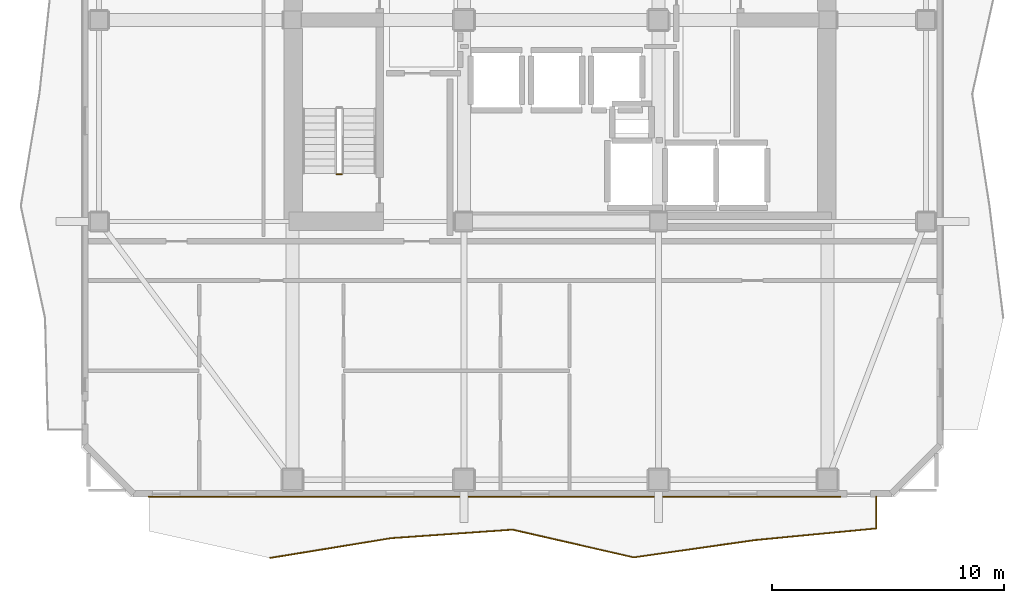
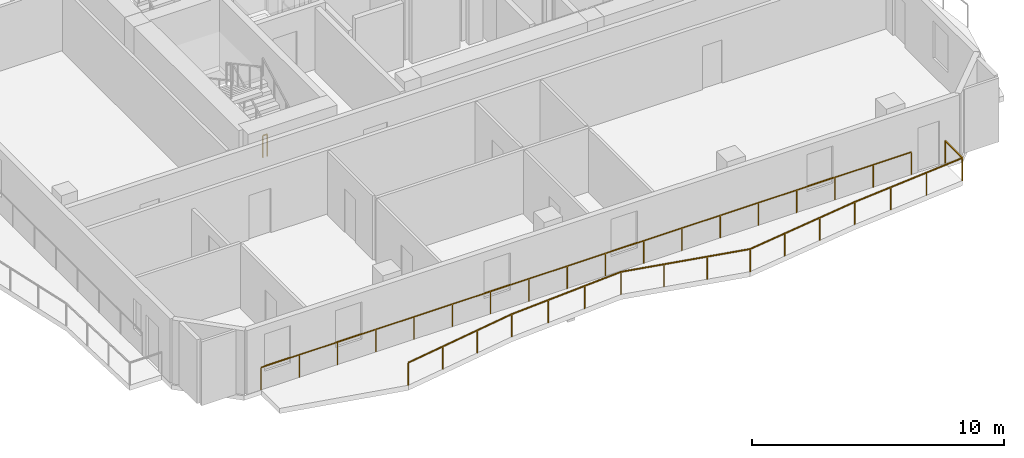
# One storey, part 7 of 10: 3 railings.
"""IFC4 building model written with IfcOpenShell, lengths in metres."""

import ifcopenshell
import ifcopenshell.guid

model = None  # the IFC model being written
_history = None  # IfcOwnerHistory: only IFC2X3 demands one
_inside = {}  # id of a spatial element -> (the spatial element, [elements in it])
_under = {}  # id of a project, library or spatial element -> (it, [spatial elements below it])
_declared = {}  # id of a project -> (the project, [libraries it declares])
_typed = {}  # id of a type object -> (the type object, [elements of that type])
_made_of = {}  # id of a material, layer set ... -> (it, [elements and type objects made of it])


def new_model(schema):
    """Start an empty IFC model of exactly this schema.

    Asked for "IFC4X3", IfcOpenShell would pick the latest addendum, in which some entities
    have other attributes; the version numbers below select the first issue.
    IFC2X3 requires an IfcOwnerHistory on every rooted entity: one is made here for all.
    """
    global model, _history
    if schema == "IFC4X3":
        model = ifcopenshell.file(schema_version=(4, 3, 0, 0))
    else:
        model = ifcopenshell.file(schema=schema)
    _inside.clear()
    _under.clear()
    _declared.clear()
    _typed.clear()
    _made_of.clear()
    _history = None
    if model.schema == "IFC2X3":
        org = make("IfcOrganization", Name="unknown")
        user = make(
            "IfcPersonAndOrganization",
            ThePerson=make("IfcPerson", FamilyName="unknown"),
            TheOrganization=org,
        )
        app = make(
            "IfcApplication",
            ApplicationDeveloper=org,
            Version="unknown",
            ApplicationFullName="unknown",
            ApplicationIdentifier="unknown",
        )
        _history = make(
            "IfcOwnerHistory",
            OwningUser=user,
            OwningApplication=app,
            ChangeAction="ADDED",
            CreationDate=0,
        )
    return model


def make(cls, **values):
    """One entity of the class cls with the attributes given. An attribute that is None is left unset."""
    return model.create_entity(
        cls, **{name: value for name, value in values.items() if value is not None}
    )


def rooted(cls, **values):
    """An entity with a GlobalId (a new one), such as an element, a storey or a relation."""
    return make(cls, GlobalId=ifcopenshell.guid.new(), OwnerHistory=_history, **values)


def si_unit(unit_type, name, prefix=None):
    """IfcSIUnit, for example si_unit("LENGTHUNIT", "METRE", prefix="MILLI")."""
    return make("IfcSIUnit", UnitType=unit_type, Prefix=prefix, Name=name)


def assignment(units):
    """IfcUnitAssignment: the units of a project."""
    return None if units is None else make("IfcUnitAssignment", Units=units)


def point(xyz):
    """IfcCartesianPoint."""
    return None if xyz is None else make("IfcCartesianPoint", Coordinates=xyz)


def direction(xyz):
    """IfcDirection."""
    return None if xyz is None else make("IfcDirection", DirectionRatios=xyz)


def frame(location, z_axis=None, x_axis=None):
    """IfcAxis2Placement3D, a coordinate frame: its origin and axes. An axis left out is left unset."""
    return make(
        "IfcAxis2Placement3D",
        Location=point(location),
        Axis=direction(z_axis),
        RefDirection=direction(x_axis),
    )


def frame_2d(location, x_axis=None):
    """IfcAxis2Placement2D, a coordinate frame in the plane: its origin and x axis."""
    return make(
        "IfcAxis2Placement2D", Location=point(location), RefDirection=direction(x_axis)
    )


def origin():
    """The frame at (0, 0, 0) with its axes left unset."""
    return frame((0.0, 0.0, 0.0))


def origin_2d():
    """The frame at (0, 0) in the plane with its x axis left unset."""
    return frame_2d((0.0, 0.0))


def place(relative_to, where):
    """IfcLocalPlacement: puts the frame where relative to a parent placement (None: the world)."""
    return make(
        "IfcLocalPlacement", PlacementRelTo=relative_to, RelativePlacement=where
    )


def context(
    kind, dimensions, precision=None, world=None, true_north=None, identifier=None
):
    """IfcGeometricRepresentationContext, for example the 3D "Model" context."""
    return make(
        "IfcGeometricRepresentationContext",
        ContextIdentifier=identifier,
        ContextType=kind,
        CoordinateSpaceDimension=dimensions,
        Precision=precision,
        WorldCoordinateSystem=world,
        TrueNorth=true_north,
    )


def subcontext(parent, identifier, kind, view, scale=None):
    """IfcGeometricRepresentationSubContext, for example "Body" below "Model"."""
    return make(
        "IfcGeometricRepresentationSubContext",
        ContextIdentifier=identifier,
        ContextType=kind,
        ParentContext=parent,
        TargetScale=scale,
        TargetView=view,
    )


def project(units=None, contexts=None):
    """IfcProject with its units and contexts."""
    return rooted(
        "IfcProject",
        Name="project",
        RepresentationContexts=contexts,
        UnitsInContext=assignment(units),
    )


def spatial(cls, under=None, at=None, **own):
    """A site, building, storey or space (cls), placed at a placement, below another one or the project."""
    s = rooted(cls, ObjectPlacement=at, **own)
    if under is not None:
        _under.setdefault(under.id(), (under, []))[1].append(s)
    return s


def profile(cls, at=None, kind="AREA", **sizes):
    """A parametric profile (cls). Its sizes go by their IFC names, for example OverallWidth=200.0."""
    return make(cls, ProfileType=kind, Position=at, **sizes)


def rectangle(**sizes):
    """IfcRectangleProfileDef."""
    return profile("IfcRectangleProfileDef", **sizes)


def extrude(swept, where, along, depth):
    """IfcExtrudedAreaSolid: the profile swept, set in the frame where, extruded along a direction by depth."""
    return make(
        "IfcExtrudedAreaSolid",
        SweptArea=swept,
        Position=where,
        ExtrudedDirection=direction(along),
        Depth=depth,
    )


def shape(context_of_items, identifier, shape_type, items):
    """IfcShapeRepresentation: the items that make up one representation, for example the "Body"."""
    return make(
        "IfcShapeRepresentation",
        ContextOfItems=context_of_items,
        RepresentationIdentifier=identifier,
        RepresentationType=shape_type,
        Items=items,
    )


def material(Name=None, Category=None):
    """IfcMaterial."""
    return make("IfcMaterial", Name=Name, Category=Category)


def made_of(thing, what):
    """Note that an element or type object is made of a material, layer set ...; save() writes the relation."""
    if what is not None:
        _made_of.setdefault(what.id(), (what, []))[1].append(thing)
    return thing


def type_object(cls, material=None, **own):
    """A type object (cls), such as IfcWallType, which elements share."""
    return made_of(rooted(cls, **own), material)


def element(
    cls,
    number,
    at=None,
    inside=None,
    cuts=None,
    type_object=None,
    material=None,
    context=None,
    identifier="Body",
    shape_type=None,
    held_by="IfcProductDefinitionShape",
    body=None,
    shapes=None,
    **own,
):
    """One element of the class cls, such as IfcWall. Its Tag is "e" and its number.

    at: its placement. inside: the storey or other place that contains it. cuts: it is an
    opening in that element (IfcRelVoidsElement). A single representation is given by context,
    identifier, shape_type and body (its items); several are given by shapes. held_by: the class
    of the entity that holds the representations. save() writes the other relations.
    """
    e = rooted(cls, Tag="e%d" % number, ObjectPlacement=at, **own)
    if body is not None:
        shapes = [shape(context, identifier, shape_type, body)]
    if shapes is not None:
        e.Representation = make(held_by, Representations=shapes)
    if inside is not None:
        _inside.setdefault(inside.id(), (inside, []))[1].append(e)
    if cuts is not None:
        rooted(
            "IfcRelVoidsElement", RelatingBuildingElement=cuts, RelatedOpeningElement=e
        )
    if type_object is not None:
        _typed.setdefault(type_object.id(), (type_object, []))[1].append(e)
    return made_of(e, material)


def aggregate(whole, parts):
    """IfcRelAggregates: a whole, such as a stair, and the parts it consists of."""
    return rooted("IfcRelAggregates", RelatingObject=whole, RelatedObjects=parts)


def save(model, path):
    """Write the relations noted so far, then the file.

    IfcRelAggregates (storeys below a building ...), IfcRelContainedInSpatialStructure (elements
    in a storey), IfcRelDefinesByType, IfcRelAssociatesMaterial and IfcRelDeclares: one each for
    every whole, place, type object, material and project.
    """
    for whole, parts in _under.values():
        aggregate(whole, parts)
    for where, things in _inside.values():
        rooted(
            "IfcRelContainedInSpatialStructure",
            RelatedElements=things,
            RelatingStructure=where,
        )
    for kind, things in _typed.values():
        rooted("IfcRelDefinesByType", RelatedObjects=things, RelatingType=kind)
    for what, things in _made_of.values():
        rooted("IfcRelAssociatesMaterial", RelatedObjects=things, RelatingMaterial=what)
    for by, libraries in _declared.values():
        rooted("IfcRelDeclares", RelatingContext=by, RelatedDefinitions=libraries)
    model.write(path)


model = new_model("IFC4")

# Units and contexts
model_context = context("Model", 3, precision=1e-05, world=origin(), true_north=direction((0.0, 1.0)))
body_context = subcontext(model_context, "Body", "Model", "MODEL_VIEW")
ifc_project = project(units=[si_unit("LENGTHUNIT", "METRE"), si_unit("AREAUNIT", "SQUARE_METRE"), si_unit("VOLUMEUNIT", "CUBIC_METRE"), si_unit("PLANEANGLEUNIT", "RADIAN"), si_unit("MASSUNIT", "GRAM", prefix="KILO")], contexts=[model_context])

# Site, building, storey
site_placement = place(None, origin())
site = spatial("IfcSite", under=ifc_project, at=site_placement, CompositionType="ELEMENT")
building_placement = place(site_placement, origin())
building = spatial("IfcBuilding", under=site, at=building_placement, Name="Solanera Arch Residences", CompositionType="ELEMENT")
storey_placement = place(building_placement, frame((0.0, 0.0, 203.43994140625)))
storey = spatial("IfcBuildingStorey", under=building, at=storey_placement, Name="L59", CompositionType="ELEMENT", Elevation=203.43994140625)

# Railings
ifc_material_1 = material(Name="Steel S355 (ASTM A992 / A572 Grade 50)", Category="steel")
railing_type_1 = type_object("IfcRailingType", Name="Balustrade Railing BL-1100", PredefinedType="BALUSTRADE", material=ifc_material_1)
railing_1_placement = place(storey_placement, frame((12.43310546875, 7.471923828125, 0.0)))
element("IfcRailing", 1, at=railing_1_placement, inside=storey, type_object=railing_type_1, Name="L59 S Balcony Balustrade 1", PredefinedType="BALUSTRADE", context=body_context, shape_type="SweptSolid", body=[
    extrude(rectangle(XDim=0.048095703125, YDim=0.048095703125, at=origin_2d()), frame((0.0, 0.0, 1.09619140625), z_axis=(0.986948116303, 0.161038553542, 0.0), x_axis=(-0.161038553542, 0.986948116303, 0.0)), (0.0, 0.0, 1.0), 5.30322265625),
    extrude(rectangle(XDim=0.048095703125, YDim=0.048095703125, at=origin_2d()), frame((5.23388671875, 0.85400390625, 1.09619140625), z_axis=(0.997534201432, 0.070182027422, 0.0), x_axis=(-0.070182027422, 0.997534201432, 0.0)), (0.0, 0.0, 1.0), 5.245849609375),
    extrude(rectangle(XDim=0.048095703125, YDim=0.048095703125, at=origin_2d()), frame((10.466796875, 1.22216796875, 1.09619140625), z_axis=(0.974823212655, -0.22297915613, 0.0), x_axis=(0.22297915613, 0.974823212655, 0.0)), (0.0, 0.0, 1.0), 5.368408203125),
    extrude(rectangle(XDim=0.048095703125, YDim=0.048095703125, at=origin_2d()), frame((15.699951171875, 0.025146484375, 1.09619140625), z_axis=(0.989998384742, 0.141078695092, 0.0), x_axis=(-0.141078695092, 0.989998384742, 0.0)), (0.0, 0.0, 1.0), 5.286865234375),
    extrude(rectangle(XDim=0.048095703125, YDim=0.048095703125, at=origin_2d()), frame((20.933837890625, 0.77099609375, 1.09619140625), z_axis=(0.995426964499, 0.095525694704, 0.0), x_axis=(-0.095525694704, 0.995426964499, 0.0)), (0.0, 0.0, 1.0), 5.257080078125),
    extrude(rectangle(XDim=0.048095703125, YDim=0.048095703125, at=origin_2d()), frame((26.1669921875, 1.273193359375, 1.09619140625), z_axis=(0.0, 1.0, 0.0), x_axis=(-1.0, 0.0, 0.0)), (0.0, 0.0, 1.0), 1.375),
    extrude(rectangle(XDim=0.0419921875, YDim=0.0419921875, at=origin_2d()), origin(), (0.0, 0.0, 1.0), 1.072021484375),
    extrude(rectangle(XDim=0.0419921875, YDim=0.0419921875, at=origin_2d()), frame((1.74462890625, 0.28466796875, 0.0)), (0.0, 0.0, 1.0), 1.072021484375),
    extrude(rectangle(XDim=0.0419921875, YDim=0.0419921875, at=origin_2d()), frame((3.4892578125, 0.5693359375, 0.0)), (0.0, 0.0, 1.0), 1.072021484375),
    extrude(rectangle(XDim=0.0419921875, YDim=0.0419921875, at=origin_2d()), frame((5.23388671875, 0.85400390625, 0.0)), (0.0, 0.0, 1.0), 1.072021484375),
    extrude(rectangle(XDim=0.0419921875, YDim=0.0419921875, at=origin_2d()), frame((6.978271484375, 0.976806640625, 0.0)), (0.0, 0.0, 1.0), 1.072021484375),
    extrude(rectangle(XDim=0.0419921875, YDim=0.0419921875, at=origin_2d()), frame((8.722412109375, 1.099365234375, 0.0)), (0.0, 0.0, 1.0), 1.072021484375),
    extrude(rectangle(XDim=0.0419921875, YDim=0.0419921875, at=origin_2d()), frame((10.466796875, 1.22216796875, 0.0)), (0.0, 0.0, 1.0), 1.072021484375),
    extrude(rectangle(XDim=0.0419921875, YDim=0.0419921875, at=origin_2d()), frame((12.211181640625, 0.8232421875, 0.0)), (0.0, 0.0, 1.0), 1.072021484375),
    extrude(rectangle(XDim=0.0419921875, YDim=0.0419921875, at=origin_2d()), frame((13.95556640625, 0.424072265625, 0.0)), (0.0, 0.0, 1.0), 1.072021484375),
    extrude(rectangle(XDim=0.0419921875, YDim=0.0419921875, at=origin_2d()), frame((15.699951171875, 0.025146484375, 0.0)), (0.0, 0.0, 1.0), 1.072021484375),
    extrude(rectangle(XDim=0.0419921875, YDim=0.0419921875, at=origin_2d()), frame((17.444580078125, 0.273681640625, 0.0)), (0.0, 0.0, 1.0), 1.072021484375),
    extrude(rectangle(XDim=0.0419921875, YDim=0.0419921875, at=origin_2d()), frame((19.189208984375, 0.5224609375, 0.0)), (0.0, 0.0, 1.0), 1.072021484375),
    extrude(rectangle(XDim=0.0419921875, YDim=0.0419921875, at=origin_2d()), frame((20.933837890625, 0.77099609375, 0.0)), (0.0, 0.0, 1.0), 1.072021484375),
    extrude(rectangle(XDim=0.0419921875, YDim=0.0419921875, at=origin_2d()), frame((22.67822265625, 0.9384765625, 0.0)), (0.0, 0.0, 1.0), 1.072021484375),
    extrude(rectangle(XDim=0.0419921875, YDim=0.0419921875, at=origin_2d()), frame((24.422607421875, 1.105712890625, 0.0)), (0.0, 0.0, 1.0), 1.072021484375),
    extrude(rectangle(XDim=0.0419921875, YDim=0.0419921875, at=origin_2d()), frame((26.1669921875, 1.273193359375, 0.0)), (0.0, 0.0, 1.0), 1.072021484375),
    extrude(rectangle(XDim=0.0419921875, YDim=0.0419921875, at=origin_2d()), frame((26.1669921875, 2.648193359375, 0.0)), (0.0, 0.0, 1.0), 1.072021484375),
])
railing_2_placement = place(storey_placement, frame((37.048095703125, 10.1201171875, 0.0)))
element("IfcRailing", 2, at=railing_2_placement, inside=storey, type_object=railing_type_1, Name="L59 S Balcony Balustrade 2", PredefinedType="BALUSTRADE", context=body_context, shape_type="SweptSolid", body=[
    extrude(rectangle(XDim=0.048095703125, YDim=0.048095703125, at=origin_2d()), frame((0.0, 0.0, 1.09619140625), z_axis=(-1.0, 0.0, 0.0), x_axis=(0.0, -1.0, 0.0)), (0.0, 0.0, 1.0), 29.84814453125),
    extrude(rectangle(XDim=0.0419921875, YDim=0.0419921875, at=origin_2d()), origin(), (0.0, 0.0, 1.0), 1.072021484375),
    extrude(rectangle(XDim=0.0419921875, YDim=0.0419921875, at=origin_2d()), frame((-1.755859375, 0.0, 0.0)), (0.0, 0.0, 1.0), 1.072021484375),
    extrude(rectangle(XDim=0.0419921875, YDim=0.0419921875, at=origin_2d()), frame((-3.511474609375, 0.0, 0.0)), (0.0, 0.0, 1.0), 1.072021484375),
    extrude(rectangle(XDim=0.0419921875, YDim=0.0419921875, at=origin_2d()), frame((-5.267333984375, 0.0, 0.0)), (0.0, 0.0, 1.0), 1.072021484375),
    extrude(rectangle(XDim=0.0419921875, YDim=0.0419921875, at=origin_2d()), frame((-7.023193359375, 0.0, 0.0)), (0.0, 0.0, 1.0), 1.072021484375),
    extrude(rectangle(XDim=0.0419921875, YDim=0.0419921875, at=origin_2d()), frame((-8.77880859375, 0.0, 0.0)), (0.0, 0.0, 1.0), 1.072021484375),
    extrude(rectangle(XDim=0.0419921875, YDim=0.0419921875, at=origin_2d()), frame((-10.53466796875, 0.0, 0.0)), (0.0, 0.0, 1.0), 1.072021484375),
    extrude(rectangle(XDim=0.0419921875, YDim=0.0419921875, at=origin_2d()), frame((-12.29052734375, 0.0, 0.0)), (0.0, 0.0, 1.0), 1.072021484375),
    extrude(rectangle(XDim=0.0419921875, YDim=0.0419921875, at=origin_2d()), frame((-14.046142578125, 0.0, 0.0)), (0.0, 0.0, 1.0), 1.072021484375),
    extrude(rectangle(XDim=0.0419921875, YDim=0.0419921875, at=origin_2d()), frame((-15.802001953125, 0.0, 0.0)), (0.0, 0.0, 1.0), 1.072021484375),
    extrude(rectangle(XDim=0.0419921875, YDim=0.0419921875, at=origin_2d()), frame((-17.5576171875, 0.0, 0.0)), (0.0, 0.0, 1.0), 1.072021484375),
    extrude(rectangle(XDim=0.0419921875, YDim=0.0419921875, at=origin_2d()), frame((-19.3134765625, 0.0, 0.0)), (0.0, 0.0, 1.0), 1.072021484375),
    extrude(rectangle(XDim=0.0419921875, YDim=0.0419921875, at=origin_2d()), frame((-21.0693359375, 0.0, 0.0)), (0.0, 0.0, 1.0), 1.072021484375),
    extrude(rectangle(XDim=0.0419921875, YDim=0.0419921875, at=origin_2d()), frame((-22.824951171875, 0.0, 0.0)), (0.0, 0.0, 1.0), 1.072021484375),
    extrude(rectangle(XDim=0.0419921875, YDim=0.0419921875, at=origin_2d()), frame((-24.580810546875, 0.0, 0.0)), (0.0, 0.0, 1.0), 1.072021484375),
    extrude(rectangle(XDim=0.0419921875, YDim=0.0419921875, at=origin_2d()), frame((-26.336669921875, 0.0, 0.0)), (0.0, 0.0, 1.0), 1.072021484375),
    extrude(rectangle(XDim=0.0419921875, YDim=0.0419921875, at=origin_2d()), frame((-28.09228515625, 0.0, 0.0)), (0.0, 0.0, 1.0), 1.072021484375),
    extrude(rectangle(XDim=0.0419921875, YDim=0.0419921875, at=origin_2d()), frame((-29.84814453125, 0.0, 0.0)), (0.0, 0.0, 1.0), 1.072021484375),
])
ifc_material_2 = material(Name="Steel S355 (ASTM A992 / A572 Grade 50)", Category="steel")
railing_type_2 = type_object("IfcRailingType", Name="Stair Guardrail GR-1100", PredefinedType="GUARDRAIL", material=ifc_material_2)
railing_3_placement = place(storey_placement, frame((15.52001953125, 24.030029296875, -0.014892578125)))
element("IfcRailing", 3, at=railing_3_placement, inside=storey, type_object=railing_type_2, Name="L59 ST-T3 stair guard 4", PredefinedType="GUARDRAIL", context=body_context, shape_type="SweptSolid", body=[
    extrude(rectangle(XDim=0.048095703125, YDim=0.048095703125, at=origin_2d()), frame((0.0, 0.0, 1.076171875), z_axis=(-1.0, 0.0, 0.0), x_axis=(0.0, -1.0, 0.0)), (0.0, 0.0, 1.0), 0.199951171875),
    extrude(rectangle(XDim=0.0419921875, YDim=0.0419921875, at=origin_2d()), origin(), (0.0, 0.0, 1.0), 1.052001953125),
    extrude(rectangle(XDim=0.0419921875, YDim=0.0419921875, at=origin_2d()), frame((-0.199951171875, 0.0, 0.0)), (0.0, 0.0, 1.0), 1.052001953125),
])

save(model, "model.ifc")
